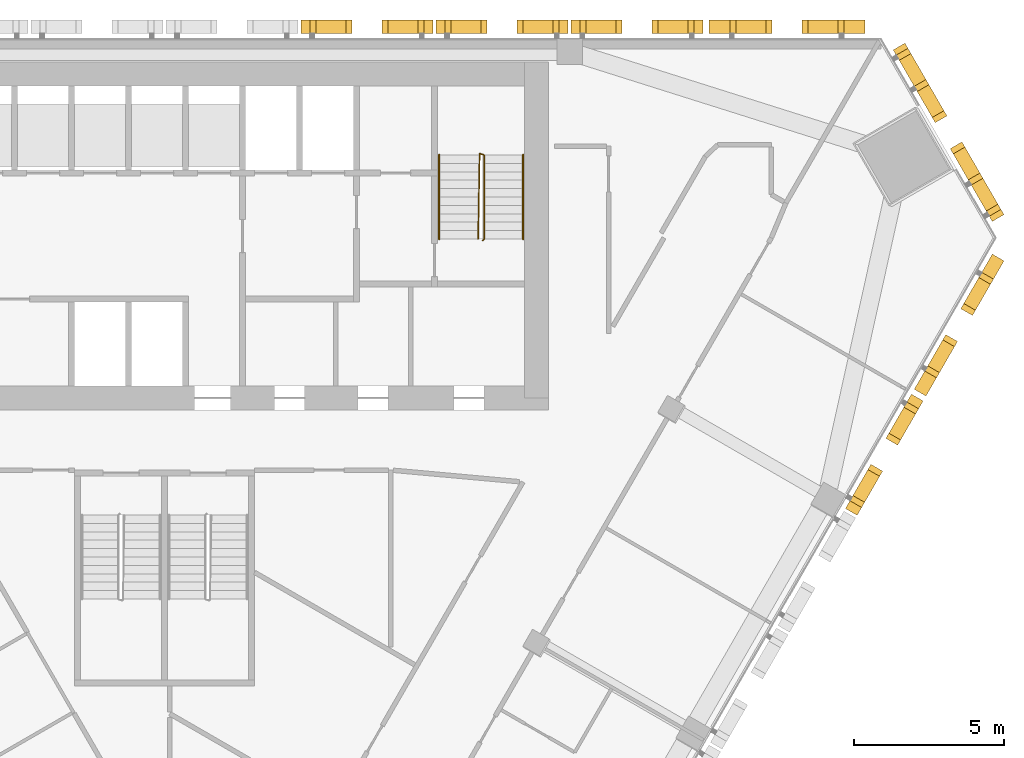
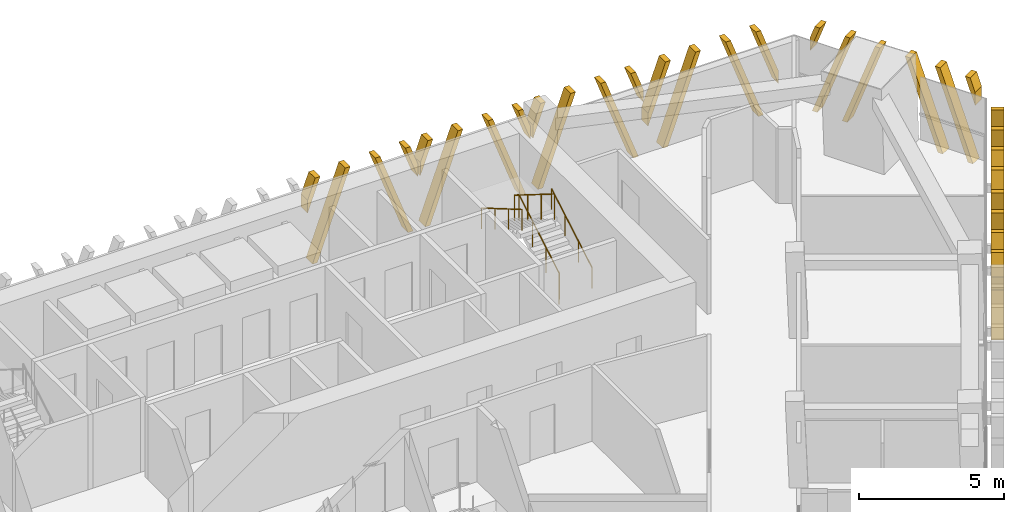
# One storey, part 15 of 16: 7 shading devices, 3 railings.
"""IFC4 building model written with IfcOpenShell, lengths in metres."""

from ifc_helpers import new_model, si_unit, direction, frame, origin, origin_2d, place, context, subcontext, project, spatial, polyline, circle, outline, extrude, source, transform, mapped, material, type_object, element, save


model = new_model("IFC4")

# Units and contexts
model_context = context("Model", 3, precision=1e-05, world=origin(), true_north=direction((0.0, 1.0)))
body_context = subcontext(model_context, "Body", "Model", "MODEL_VIEW")
ifc_project = project(units=[si_unit("LENGTHUNIT", "METRE"), si_unit("AREAUNIT", "SQUARE_METRE"), si_unit("VOLUMEUNIT", "CUBIC_METRE"), si_unit("PLANEANGLEUNIT", "RADIAN"), si_unit("MASSUNIT", "GRAM", prefix="KILO")], contexts=[model_context])

# Site, building, storey
site_placement = place(None, origin())
site = spatial("IfcSite", under=ifc_project, at=site_placement, CompositionType="ELEMENT")
building_placement = place(site_placement, origin())
building = spatial("IfcBuilding", under=site, at=building_placement, Name="Altiplano Prism Tower", CompositionType="ELEMENT")
storey_placement = place(building_placement, frame((0.0, 0.0, 135.0)))
storey = spatial("IfcBuildingStorey", under=building, at=storey_placement, Name="L34", CompositionType="ELEMENT", Elevation=135.0)

# Railings
ifc_material_1 = material(Name="Steel S355", Category="steel")
railing_type_1 = type_object("IfcRailingType", Name="Stair guard 1100", PredefinedType="GUARDRAIL", material=ifc_material_1)
railing_1_placement = place(storey_placement, frame((95.60009765625, 98.25, 0.0)))
element("IfcRailing", 1, at=railing_1_placement, inside=storey, type_object=railing_type_1, Name="L34 ST2 stair guard 1", PredefinedType="GUARDRAIL", context=body_context, shape_type="SweptSolid", body=[
    extrude(circle(Radius=0.02392578125, at=origin_2d()), frame((0.0, 0.0, 1.076171875), z_axis=(0.279546231943, 0.280916556609, 0.91811752648), x_axis=(-0.708833529934, 0.705375805398, 0.0)), (0.0, 0.0, 1.0), 0.17822265625),
    extrude(circle(Radius=0.02392578125, at=origin_2d()), frame((0.0498046875, 0.050048828125, 1.23974609375), z_axis=(0.0, 0.863360870873, 0.504586966384), x_axis=(-1.0, 0.0, 0.0)), (0.0, 0.0, 1.0), 3.2431640625),
    extrude(circle(Radius=0.02392578125, at=origin_2d()), frame((0.0498046875, 2.85009765625, 2.8759765625), z_axis=(-0.948991962702, 0.315300261223, 0.0), x_axis=(-0.315300261223, -0.948991962702, 0.0)), (0.0, 0.0, 1.0), 0.157958984375),
    extrude(circle(Radius=0.02392578125, at=origin_2d()), frame((-0.10009765625, 2.89990234375, 2.8759765625), z_axis=(-0.014846418356, -0.845376787675, 0.533964109957), x_axis=(0.999845825584, -0.017559187376, 0.0)), (0.0, 0.0, 1.0), 3.37109375),
    extrude(circle(Radius=0.02099609375, at=origin_2d()), origin(), (0.0, 0.0, 1.0), 1.052001953125),
    extrude(circle(Radius=0.02099609375, at=origin_2d()), frame((0.0498046875, 0.050048828125, 0.16357421875)), (0.0, 0.0, 1.0), 1.052001953125),
    extrude(circle(Radius=0.02099609375, at=origin_2d()), frame((0.0498046875, 0.9833984375, 0.708984375)), (0.0, 0.0, 1.0), 1.052001953125),
    extrude(circle(Radius=0.02099609375, at=origin_2d()), frame((0.0498046875, 1.916748046875, 1.254638671875)), (0.0, 0.0, 1.0), 1.052001953125),
    extrude(circle(Radius=0.02099609375, at=origin_2d()), frame((0.0498046875, 2.85009765625, 1.800048828125)), (0.0, 0.0, 1.0), 1.052001953125),
    extrude(circle(Radius=0.02099609375, at=origin_2d()), frame((-0.10009765625, 2.89990234375, 1.800048828125)), (0.0, 0.0, 1.0), 1.052001953125),
    extrude(circle(Radius=0.02099609375, at=origin_2d()), frame((-0.11669921875, 1.949951171875, 2.400146484375)), (0.0, 0.0, 1.0), 1.052001953125),
    extrude(circle(Radius=0.02099609375, at=origin_2d()), frame((-0.133544921875, 1.0, 3.0)), (0.0, 0.0, 1.0), 1.052001953125),
    extrude(circle(Radius=0.02099609375, at=origin_2d()), frame((-0.150146484375, 0.050048828125, 3.60009765625)), (0.0, 0.0, 1.0), 1.052001953125),
])
railing_type_2 = type_object("IfcRailingType", Name="Stair handrail 900", PredefinedType="HANDRAIL", material=ifc_material_1)
railing_2_placement = place(storey_placement, frame((96.949951171875, 98.300048828125, 0.16357421875)))
element("IfcRailing", 2, at=railing_2_placement, inside=storey, type_object=railing_type_2, Name="L34 ST2 stair handrail 1", PredefinedType="HANDRAIL", context=body_context, shape_type="SweptSolid", body=[
    extrude(circle(Radius=0.02392578125, at=origin_2d()), frame((0.0, 0.0, 0.8759765625), z_axis=(0.0, 0.863360870873, 0.504586966384), x_axis=(-1.0, 0.0, 0.0)), (0.0, 0.0, 1.0), 3.2431640625),
    extrude(circle(Radius=0.02099609375, at=origin_2d()), origin(), (0.0, 0.0, 1.0), 0.851806640625),
    extrude(circle(Radius=0.02099609375, at=origin_2d()), frame((0.0, 0.933349609375, 0.54541015625)), (0.0, 0.0, 1.0), 0.851806640625),
    extrude(circle(Radius=0.02099609375, at=origin_2d()), frame((0.0, 1.86669921875, 1.091064453125)), (0.0, 0.0, 1.0), 0.851806640625),
    extrude(circle(Radius=0.02099609375, at=origin_2d()), frame((0.0, 2.800048828125, 1.636474609375)), (0.0, 0.0, 1.0), 0.851806640625),
])
railing_3_placement = place(storey_placement, frame((94.14990234375, 101.10009765625, 1.963623046875)))
element("IfcRailing", 3, at=railing_3_placement, inside=storey, type_object=railing_type_2, Name="L34 ST2 stair handrail 2", PredefinedType="HANDRAIL", context=body_context, shape_type="SweptSolid", body=[
    extrude(circle(Radius=0.02392578125, at=origin_2d()), frame((0.0, 0.0, 0.8759765625), z_axis=(0.0, -0.863360870873, 0.504586966384), x_axis=(1.0, 0.0, 0.0)), (0.0, 0.0, 1.0), 3.2431640625),
    extrude(circle(Radius=0.02099609375, at=origin_2d()), origin(), (0.0, 0.0, 1.0), 0.851806640625),
    extrude(circle(Radius=0.02099609375, at=origin_2d()), frame((0.0, -0.933349609375, 0.54541015625)), (0.0, 0.0, 1.0), 0.851806640625),
    extrude(circle(Radius=0.02099609375, at=origin_2d()), frame((0.0, -1.86669921875, 1.091064453125)), (0.0, 0.0, 1.0), 0.851806640625),
    extrude(circle(Radius=0.02099609375, at=origin_2d()), frame((0.0, -2.800048828125, 1.636474609375)), (0.0, 0.0, 1.0), 0.851806640625),
])

# Shading devices
ifc_material_2 = material(Name="Warm limestone cast stone", Category="masonry")
shading_device_type_1 = type_object("IfcShadingDeviceType", Name="Stone fin panel, standard unit", PredefinedType="USERDEFINED", material=ifc_material_2)
shared_shape_1 = source(origin(), body_context, "Body", "SweptSolid", [
    extrude(outline(polyline([(-2.199951171875, 2.226318359375), (-1.699951171875, 3.60009765625), (-1.89990234375, 3.60009765625), (-2.199951171875, 2.77587890625), (-2.199951171875, 2.226318359375)])), frame((0.0, -0.14990234375, 0.0), z_axis=(0.0, -1.0, 0.0), x_axis=(1.0, 0.0, 0.0)), (0.0, 0.0, 1.0), 0.4501953125),
    extrude(outline(polyline([(-2.01025390625, 0.0), (-1.810302734375, 0.0), (-0.5, 3.60009765625), (-0.699951171875, 3.60009765625), (-2.01025390625, 0.0)])), frame((0.0, -0.14990234375, 0.0), z_axis=(0.0, -1.0, 0.0), x_axis=(1.0, 0.0, 0.0)), (0.0, 0.0, 1.0), 0.4501953125),
    extrude(outline(polyline([(1.810302734375, 0.0), (2.01025390625, 0.0), (0.699951171875, 3.60009765625), (0.5, 3.60009765625), (1.810302734375, 0.0)])), frame((0.0, -0.14990234375, 0.0), z_axis=(0.0, -1.0, 0.0), x_axis=(1.0, 0.0, 0.0)), (0.0, 0.0, 1.0), 0.4501953125),
    extrude(outline(polyline([(2.199951171875, 2.77587890625), (1.89990234375, 3.60009765625), (1.699951171875, 3.60009765625), (2.199951171875, 2.226318359375), (2.199951171875, 2.77587890625)])), frame((0.0, -0.14990234375, 0.0), z_axis=(0.0, -1.0, 0.0), x_axis=(1.0, 0.0, 0.0)), (0.0, 0.0, 1.0), 0.4501953125),
])
shading_device_1_placement = place(storey_placement, origin())
element("IfcShadingDevice", 4, at=shading_device_1_placement, inside=storey, type_object=shading_device_type_1, Name="Fin L34 north face 2", ObjectType="FIN", PredefinedType="USERDEFINED", context=body_context, shape_type="MappedRepresentation", body=[
    mapped(shared_shape_1, transform((100.75, 105.0, -0.449951171875), x_axis=(-1.0, 0.0, 0.0), y_axis=(0.0, -1.0, 0.0), z_axis=(0.0, 0.0, 1.0))),
])
shading_device_2_placement = place(storey_placement, origin())
element("IfcShadingDevice", 5, at=shading_device_2_placement, inside=storey, type_object=shading_device_type_1, Name="Fin L34 north face 3", ObjectType="FIN", PredefinedType="USERDEFINED", context=body_context, shape_type="MappedRepresentation", body=[
    mapped(shared_shape_1, transform((96.25, 105.0, -0.449951171875), x_axis=(-1.0, 0.0, 0.0), y_axis=(0.0, -1.0, 0.0), z_axis=(0.0, 0.0, 1.0))),
])
shading_device_3_placement = place(storey_placement, origin())
element("IfcShadingDevice", 6, at=shading_device_3_placement, inside=storey, type_object=shading_device_type_1, Name="Fin L34 north face 4", ObjectType="FIN", PredefinedType="USERDEFINED", context=body_context, shape_type="MappedRepresentation", body=[
    mapped(shared_shape_1, transform((91.75, 105.0, -0.449951171875), x_axis=(-1.0, 0.0, 0.0), y_axis=(0.0, -1.0, 0.0), z_axis=(0.0, 0.0, 1.0))),
])
shading_device_4_placement = place(storey_placement, origin())
element("IfcShadingDevice", 7, at=shading_device_4_placement, inside=storey, type_object=shading_device_type_1, Name="Fin L34 south-east face 9", ObjectType="FIN", PredefinedType="USERDEFINED", context=body_context, shape_type="MappedRepresentation", body=[
    mapped(shared_shape_1, transform((108.661865234375, 91.29638671875, -0.449951171875), x_axis=(0.500000004206, 0.866025401356, 0.0), y_axis=(-0.866025401356, 0.500000004206, 0.0), z_axis=(0.0, 0.0, 1.0))),
])
shading_device_type_2 = type_object("IfcShadingDeviceType", Name="Stone fin panel, wide closing bay", PredefinedType="USERDEFINED", material=ifc_material_2)
shared_shape_2 = source(origin(), body_context, "Body", "SweptSolid", [
    extrude(outline(polyline([(-2.60009765625, 1.127197265625), (-1.699951171875, 3.60009765625), (-1.89990234375, 3.60009765625), (-2.60009765625, 1.6767578125), (-2.60009765625, 1.127197265625)])), frame((0.0, -0.14990234375, 0.0), z_axis=(0.0, -1.0, 0.0), x_axis=(1.0, 0.0, 0.0)), (0.0, 0.0, 1.0), 0.4501953125),
    extrude(outline(polyline([(-2.01025390625, 0.0), (-1.810302734375, 0.0), (-0.5, 3.60009765625), (-0.699951171875, 3.60009765625), (-2.01025390625, 0.0)])), frame((0.0, -0.14990234375, 0.0), z_axis=(0.0, -1.0, 0.0), x_axis=(1.0, 0.0, 0.0)), (0.0, 0.0, 1.0), 0.4501953125),
    extrude(outline(polyline([(1.810302734375, 0.0), (2.01025390625, 0.0), (0.699951171875, 3.60009765625), (0.5, 3.60009765625), (1.810302734375, 0.0)])), frame((0.0, -0.14990234375, 0.0), z_axis=(0.0, -1.0, 0.0), x_axis=(1.0, 0.0, 0.0)), (0.0, 0.0, 1.0), 0.4501953125),
    extrude(outline(polyline([(2.60009765625, 1.6767578125), (1.89990234375, 3.60009765625), (1.699951171875, 3.60009765625), (2.60009765625, 1.127197265625), (2.60009765625, 1.6767578125)])), frame((0.0, -0.14990234375, 0.0), z_axis=(0.0, -1.0, 0.0), x_axis=(1.0, 0.0, 0.0)), (0.0, 0.0, 1.0), 0.4501953125),
])
shading_device_5_placement = place(storey_placement, origin())
element("IfcShadingDevice", 8, at=shading_device_5_placement, inside=storey, type_object=shading_device_type_2, Name="Fin L34 north face 1", ObjectType="FIN", PredefinedType="USERDEFINED", context=body_context, shape_type="MappedRepresentation", body=[
    mapped(shared_shape_2, transform((105.741455078125, 105.0, -0.449951171875), x_axis=(-1.0, 0.0, 0.0), y_axis=(0.0, -1.0, 0.0), z_axis=(0.0, 0.0, 1.0))),
])
shading_device_6_placement = place(storey_placement, origin())
element("IfcShadingDevice", 9, at=shading_device_6_placement, inside=storey, type_object=shading_device_type_2, Name="Fin L34 south-east face 10", ObjectType="FIN", PredefinedType="USERDEFINED", context=body_context, shape_type="MappedRepresentation", body=[
    mapped(shared_shape_2, transform((111.157470703125, 95.618896484375, -0.449951171875), x_axis=(0.500000004206, 0.866025401356, 0.0), y_axis=(-0.866025401356, 0.500000004206, 0.0), z_axis=(0.0, 0.0, 1.0))),
])
shading_device_type_3 = type_object("IfcShadingDeviceType", Name="Stone fin panel, chamfer unit", PredefinedType="USERDEFINED", material=ifc_material_2)
shared_shape_3 = source(origin(), body_context, "Body", "SweptSolid", [
    extrude(outline(polyline([(-3.300048828125, 2.5009765625), (-2.89990234375, 3.60009765625), (-3.10009765625, 3.60009765625), (-3.300048828125, 3.050537109375), (-3.300048828125, 2.5009765625)])), frame((0.0, -0.14990234375, 0.0), z_axis=(0.0, -1.0, 0.0), x_axis=(1.0, 0.0, 0.0)), (0.0, 0.0, 1.0), 0.4501953125),
    extrude(outline(polyline([(-3.210205078125, 0.0), (-3.01025390625, 0.0), (-1.699951171875, 3.60009765625), (-1.89990234375, 3.60009765625), (-3.210205078125, 0.0)])), frame((0.0, -0.14990234375, 0.0), z_axis=(0.0, -1.0, 0.0), x_axis=(1.0, 0.0, 0.0)), (0.0, 0.0, 1.0), 0.4501953125),
    extrude(outline(polyline([(-2.01025390625, 0.0), (-1.810302734375, 0.0), (-0.5, 3.60009765625), (-0.699951171875, 3.60009765625), (-2.01025390625, 0.0)])), frame((0.0, -0.14990234375, 0.0), z_axis=(0.0, -1.0, 0.0), x_axis=(1.0, 0.0, 0.0)), (0.0, 0.0, 1.0), 0.4501953125),
    extrude(outline(polyline([(1.810302734375, 0.0), (2.01025390625, 0.0), (0.699951171875, 3.60009765625), (0.5, 3.60009765625), (1.810302734375, 0.0)])), frame((0.0, -0.14990234375, 0.0), z_axis=(0.0, -1.0, 0.0), x_axis=(1.0, 0.0, 0.0)), (0.0, 0.0, 1.0), 0.4501953125),
    extrude(outline(polyline([(3.01025390625, 0.0), (3.210205078125, 0.0), (1.89990234375, 3.60009765625), (1.699951171875, 3.60009765625), (3.01025390625, 0.0)])), frame((0.0, -0.14990234375, 0.0), z_axis=(0.0, -1.0, 0.0), x_axis=(1.0, 0.0, 0.0)), (0.0, 0.0, 1.0), 0.4501953125),
    extrude(outline(polyline([(3.300048828125, 3.050537109375), (3.10009765625, 3.60009765625), (2.89990234375, 3.60009765625), (3.300048828125, 2.5009765625), (3.300048828125, 3.050537109375)])), frame((0.0, -0.14990234375, 0.0), z_axis=(0.0, -1.0, 0.0), x_axis=(1.0, 0.0, 0.0)), (0.0, 0.0, 1.0), 0.4501953125),
])
shading_device_7_placement = place(storey_placement, origin())
element("IfcShadingDevice", 10, at=shading_device_7_placement, inside=storey, type_object=shading_device_type_3, Name="Fin L34 north-east chamfer 1", ObjectType="FIN", PredefinedType="USERDEFINED", context=body_context, shape_type="MappedRepresentation", body=[
    mapped(shared_shape_3, transform((110.805419921875, 101.669677734375, -0.449951171875), x_axis=(-0.500000003023, 0.866025402039, 0.0), y_axis=(-0.866025402039, -0.500000003023, 0.0), z_axis=(0.0, 0.0, 1.0))),
])

save(model, "model.ifc")
